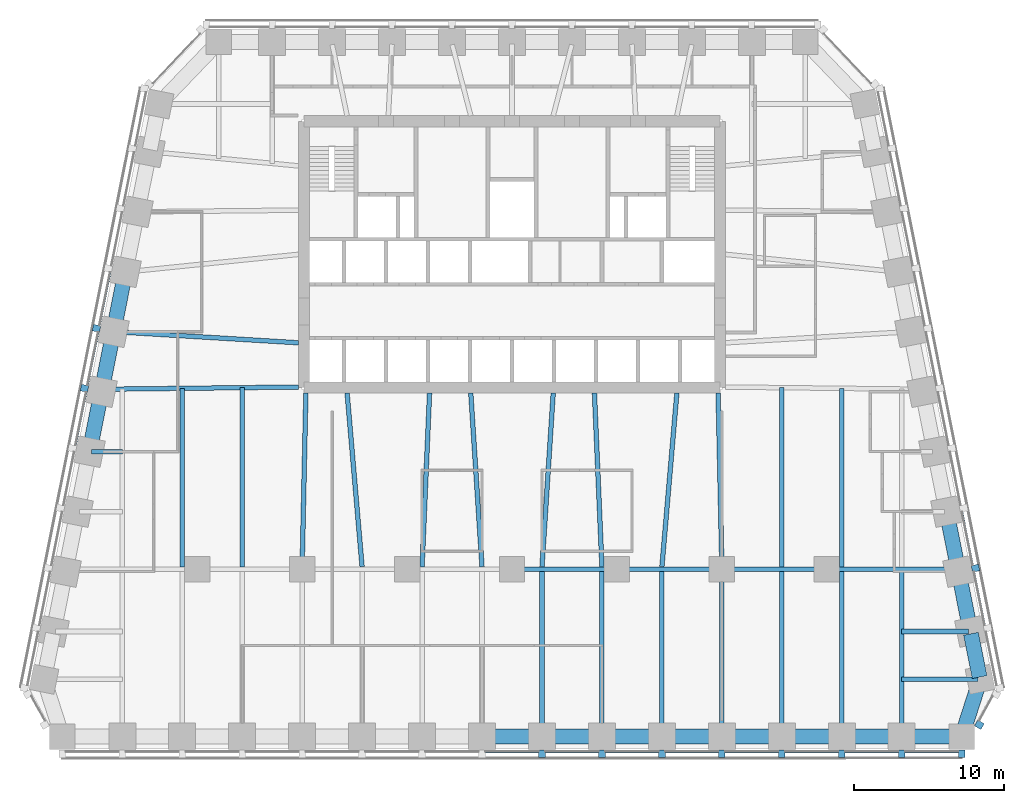
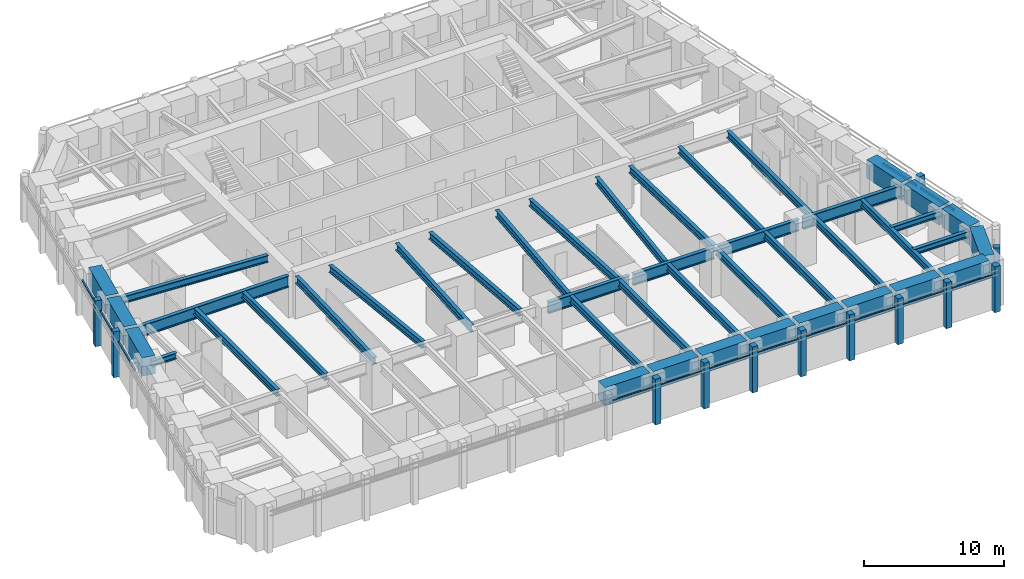
# One storey, part 2 of 10: 43 beams, 25 members, 4 elements without a shape of their own.
"""IFC4 building model written with IfcOpenShell, lengths in metres."""

from ifc_helpers import new_model, si_unit, direction, frame, origin, origin_2d, place, context, subcontext, project, spatial, rectangle, i_section, extrude, material, material_profile, profile_set, type_object, element, aggregate, save


model = new_model("IFC4")

# Units and contexts
model_context = context("Model", 3, precision=1e-05, world=origin(), true_north=direction((0.0, 1.0)))
body_context = subcontext(model_context, "Body", "Model", "MODEL_VIEW")
ifc_project = project(units=[si_unit("LENGTHUNIT", "METRE"), si_unit("AREAUNIT", "SQUARE_METRE"), si_unit("VOLUMEUNIT", "CUBIC_METRE"), si_unit("PLANEANGLEUNIT", "RADIAN"), si_unit("MASSUNIT", "GRAM", prefix="KILO")], contexts=[model_context])

# Site, building, storey
site_placement = place(None, origin())
site = spatial("IfcSite", under=ifc_project, at=site_placement, CompositionType="ELEMENT")
building_placement = place(site_placement, origin())
building = spatial("IfcBuilding", under=site, at=building_placement, Name="Isbrekke Arena Tower", CompositionType="ELEMENT")
storey_placement = place(building_placement, frame((0.0, 0.0, 163.0)))
storey = spatial("IfcBuildingStorey", under=building, at=storey_placement, Name="L37", CompositionType="ELEMENT", Elevation=163.0)

# Beams
ifc_material_1 = material(Name="Steel S355", Category="steel")
ifc_material_profile_1 = material_profile(ifc_material_1, i_section(OverallWidth=0.304931640625, OverallDepth=0.6201171875, WebThickness=0.02099609375, FlangeThickness=0.0400390625, FilletRadius=0.027099609375, at=origin_2d()), Name="HEM 600")
ifc_profile_set_1 = profile_set([ifc_material_profile_1], Name="Steel S355")
beam_type_1 = type_object("IfcBeamType", Name="B4 HEM 600", PredefinedType="BEAM", material=ifc_profile_set_1)
for number, where, z_axis, x_axis, name in (
    (1, (2.0, -17.02490234375, 3.43994140625), (0.0, 1.0, 0.0), (-1.0, 0.0, 0.0), "B4 beam S-S09 L37"),
    (2, (6.0, -17.02490234375, 3.43994140625), (0.0, 1.0, 0.0), (-1.0, 0.0, 0.0), "B4 beam S-S10 L37"),
    (3, (10.0, -17.02490234375, 3.43994140625), (0.0, 1.0, 0.0), (-1.0, 0.0, 0.0), "B4 beam S-S11 L37"),
):
    element("IfcBeam", number, at=place(storey_placement, frame(where, z_axis=z_axis, x_axis=x_axis)), inside=storey, type_object=beam_type_1, Name=name, PredefinedType="BEAM", context=body_context, shape_type="SweptSolid", body=[
        extrude(i_section(OverallWidth=0.304931640625, OverallDepth=0.6201171875, WebThickness=0.02099609375, FlangeThickness=0.0400390625, FilletRadius=0.027099609375, at=origin_2d()), origin(), (0.0, 0.0, 1.0), 10.8740234375),
    ])
beam_1_placement = place(storey_placement, frame((14.0, -17.02490234375, 3.43994140625), z_axis=(0.0, 1.0, 0.0), x_axis=(-1.0, 0.0, 0.0)))
element("IfcBeam", 4, at=beam_1_placement, inside=storey, type_object=beam_type_1, Name="B4 beam S-S12 L37", PredefinedType="BEAM", context=body_context, shape_type="SweptSolid", body=[
    extrude(i_section(OverallWidth=0.304931640625, OverallDepth=0.6201171875, WebThickness=0.02099609375, FlangeThickness=0.0400390625, FilletRadius=0.027099609375, at=origin_2d()), origin(), (0.0, 0.0, 1.0), 10.875),
])
for number, where, z_axis, x_axis, name in (
    (5, (18.0, -17.02490234375, 3.43994140625), (0.0, 1.0, 0.0), (-1.0, 0.0, 0.0), "B4 beam S-S13 L37"),
    (6, (22.0, -17.02490234375, 3.43994140625), (0.0, 1.0, 0.0), (-1.0, 0.0, 0.0), "B4 beam S-S14 L37"),
    (7, (26.0, -17.02490234375, 3.43994140625), (0.0, 1.0, 0.0), (-1.0, 0.0, 0.0), "B4 beam S-S15 L37"),
):
    element("IfcBeam", number, at=place(storey_placement, frame(where, z_axis=z_axis, x_axis=x_axis)), inside=storey, type_object=beam_type_1, Name=name, PredefinedType="BEAM", context=body_context, shape_type="SweptSolid", body=[
        extrude(i_section(OverallWidth=0.304931640625, OverallDepth=0.6201171875, WebThickness=0.02099609375, FlangeThickness=0.0400390625, FilletRadius=0.027099609375, at=origin_2d()), origin(), (0.0, 0.0, 1.0), 10.8740234375),
    ])
beam_2_placement = place(storey_placement, frame((-22.0, -5.84912109375, 3.43994140625), z_axis=(0.0, 1.0, 0.0), x_axis=(-1.0, 0.0, 0.0)))
element("IfcBeam", 8, at=beam_2_placement, inside=storey, type_object=beam_type_1, Name="B4 beam C-M02 L37", PredefinedType="BEAM", context=body_context, shape_type="SweptSolid", body=[
    extrude(i_section(OverallWidth=0.304931640625, OverallDepth=0.6201171875, WebThickness=0.02099609375, FlangeThickness=0.0400390625, FilletRadius=0.027099609375, at=origin_2d()), origin(), (0.0, 0.0, 1.0), 11.91064453125),
])
beam_3_placement = place(storey_placement, frame((-18.0, -5.84912109375, 3.43994140625), z_axis=(0.0, 1.0, 0.0), x_axis=(-1.0, 0.0, 0.0)))
element("IfcBeam", 9, at=beam_3_placement, inside=storey, type_object=beam_type_1, Name="B4 beam C-M03 L37", PredefinedType="BEAM", context=body_context, shape_type="SweptSolid", body=[
    extrude(i_section(OverallWidth=0.304931640625, OverallDepth=0.6201171875, WebThickness=0.02099609375, FlangeThickness=0.0400390625, FilletRadius=0.027099609375, at=origin_2d()), origin(), (0.0, 0.0, 1.0), 11.956298828125),
])
beam_4_placement = place(storey_placement, frame((-14.0, -5.8466796875, 3.43994140625), z_axis=(0.021552887044, 0.999767709551, 0.0), x_axis=(-0.999767709551, 0.021552887044, 0.0)))
element("IfcBeam", 10, at=beam_4_placement, inside=storey, type_object=beam_type_1, Name="B4 beam C-M04 L37", PredefinedType="BEAM", context=body_context, shape_type="SweptSolid", body=[
    extrude(i_section(OverallWidth=0.304931640625, OverallDepth=0.6201171875, WebThickness=0.02099609375, FlangeThickness=0.0400390625, FilletRadius=0.027099609375, at=origin_2d()), origin(), (0.0, 0.0, 1.0), 11.599365234375),
])
beam_5_placement = place(storey_placement, frame((-10.001220703125, -5.8359375, 3.43994140625), z_axis=(-0.085887623552, 0.996304830923, 0.0), x_axis=(-0.996304830923, -0.085887623552, 0.0)))
element("IfcBeam", 11, at=beam_5_placement, inside=storey, type_object=beam_type_1, Name="B4 beam C-M05 L37", PredefinedType="BEAM", context=body_context, shape_type="SweptSolid", body=[
    extrude(i_section(OverallWidth=0.304931640625, OverallDepth=0.6201171875, WebThickness=0.02099609375, FlangeThickness=0.0400390625, FilletRadius=0.027099609375, at=origin_2d()), origin(), (0.0, 0.0, 1.0), 11.62890625),
])
beam_6_placement = place(storey_placement, frame((-5.999755859375, -5.842529296875, 3.43994140625), z_axis=(0.043070161667, 0.999072050041, 0.0), x_axis=(-0.999072050041, 0.043070161667, 0.0)))
element("IfcBeam", 12, at=beam_6_placement, inside=storey, type_object=beam_type_1, Name="B4 beam C-M06 L37", PredefinedType="BEAM", context=body_context, shape_type="SweptSolid", body=[
    extrude(i_section(OverallWidth=0.304931640625, OverallDepth=0.6201171875, WebThickness=0.02099609375, FlangeThickness=0.0400390625, FilletRadius=0.027099609375, at=origin_2d()), origin(), (0.0, 0.0, 1.0), 11.603271484375),
])
for number, where, z_axis, x_axis, name in (
    (13, (-2.000732421875, -5.839111328125, 3.43994140625), (-0.064518019507, 0.997916542181, 0.0), (-0.997916542181, -0.064518019507, 0.0), "B4 beam C-M07 L37"),
    (14, (2.000732421875, -5.839111328125, 3.43994140625), (0.064518019507, 0.997916542181, 0.0), (-0.997916542181, 0.064518019507, 0.0), "B4 beam C-M08 L37"),
):
    element("IfcBeam", number, at=place(storey_placement, frame(where, z_axis=z_axis, x_axis=x_axis)), inside=storey, type_object=beam_type_1, Name=name, PredefinedType="BEAM", context=body_context, shape_type="SweptSolid", body=[
        extrude(i_section(OverallWidth=0.304931640625, OverallDepth=0.6201171875, WebThickness=0.02099609375, FlangeThickness=0.0400390625, FilletRadius=0.027099609375, at=origin_2d()), origin(), (0.0, 0.0, 1.0), 11.61328125),
    ])
beam_7_placement = place(storey_placement, frame((5.999755859375, -5.842529296875, 3.43994140625), z_axis=(-0.043070161667, 0.999072050041, 0.0), x_axis=(-0.999072050041, -0.043070161667, 0.0)))
element("IfcBeam", 15, at=beam_7_placement, inside=storey, type_object=beam_type_1, Name="B4 beam C-M09 L37", PredefinedType="BEAM", context=body_context, shape_type="SweptSolid", body=[
    extrude(i_section(OverallWidth=0.304931640625, OverallDepth=0.6201171875, WebThickness=0.02099609375, FlangeThickness=0.0400390625, FilletRadius=0.027099609375, at=origin_2d()), origin(), (0.0, 0.0, 1.0), 11.603271484375),
])
beam_8_placement = place(storey_placement, frame((10.001220703125, -5.8359375, 3.43994140625), z_axis=(0.085887623552, 0.996304830923, 0.0), x_axis=(-0.996304830923, 0.085887623552, 0.0)))
element("IfcBeam", 16, at=beam_8_placement, inside=storey, type_object=beam_type_1, Name="B4 beam C-M10 L37", PredefinedType="BEAM", context=body_context, shape_type="SweptSolid", body=[
    extrude(i_section(OverallWidth=0.304931640625, OverallDepth=0.6201171875, WebThickness=0.02099609375, FlangeThickness=0.0400390625, FilletRadius=0.027099609375, at=origin_2d()), origin(), (0.0, 0.0, 1.0), 11.62890625),
])
beam_9_placement = place(storey_placement, frame((14.0, -5.8466796875, 3.43994140625), z_axis=(-0.021552887044, 0.999767709551, 0.0), x_axis=(-0.999767709551, -0.021552887044, 0.0)))
element("IfcBeam", 17, at=beam_9_placement, inside=storey, type_object=beam_type_1, Name="B4 beam C-M11 L37", PredefinedType="BEAM", context=body_context, shape_type="SweptSolid", body=[
    extrude(i_section(OverallWidth=0.304931640625, OverallDepth=0.6201171875, WebThickness=0.02099609375, FlangeThickness=0.0400390625, FilletRadius=0.027099609375, at=origin_2d()), origin(), (0.0, 0.0, 1.0), 11.599365234375),
])
beam_10_placement = place(storey_placement, frame((18.0, -5.84912109375, 3.43994140625), z_axis=(0.0, 1.0, 0.0), x_axis=(-1.0, 0.0, 0.0)))
element("IfcBeam", 18, at=beam_10_placement, inside=storey, type_object=beam_type_1, Name="B4 beam C-M12 L37", PredefinedType="BEAM", context=body_context, shape_type="SweptSolid", body=[
    extrude(i_section(OverallWidth=0.304931640625, OverallDepth=0.6201171875, WebThickness=0.02099609375, FlangeThickness=0.0400390625, FilletRadius=0.027099609375, at=origin_2d()), origin(), (0.0, 0.0, 1.0), 11.956298828125),
])
beam_11_placement = place(storey_placement, frame((22.0, -5.84912109375, 3.43994140625), z_axis=(0.0, 1.0, 0.0), x_axis=(-1.0, 0.0, 0.0)))
element("IfcBeam", 19, at=beam_11_placement, inside=storey, type_object=beam_type_1, Name="B4 beam C-M13 L37", PredefinedType="BEAM", context=body_context, shape_type="SweptSolid", body=[
    extrude(i_section(OverallWidth=0.304931640625, OverallDepth=0.6201171875, WebThickness=0.02099609375, FlangeThickness=0.0400390625, FilletRadius=0.027099609375, at=origin_2d()), origin(), (0.0, 0.0, 1.0), 11.91064453125),
])
beam_12_placement = place(storey_placement, frame((-26.431884765625, 9.837646484375, 3.43994140625), z_axis=(0.998172191876, -0.060434057993, 0.0), x_axis=(0.060434057993, 0.998172191876, 0.0)))
element("IfcBeam", 20, at=beam_12_placement, inside=storey, type_object=beam_type_1, Name="B4 beam E-W05 L37", PredefinedType="BEAM", context=body_context, shape_type="SweptSolid", body=[
    extrude(i_section(OverallWidth=0.304931640625, OverallDepth=0.6201171875, WebThickness=0.02099609375, FlangeThickness=0.0400390625, FilletRadius=0.027099609375, at=origin_2d()), origin(), (0.0, 0.0, 1.0), 12.2041015625),
])
ifc_material_2 = material(Name="Steel S355", Category="steel")
ifc_material_profile_2 = material_profile(ifc_material_2, i_section(OverallWidth=0.305908203125, OverallDepth=0.52392578125, WebThickness=0.02099609375, FlangeThickness=0.0400390625, FilletRadius=0.027099609375, at=origin_2d()), Name="HEM 500")
ifc_profile_set_2 = profile_set([ifc_material_profile_2], Name="Steel S355")
beam_type_2 = type_object("IfcBeamType", Name="B5 HEM 500", PredefinedType="BEAM", material=ifc_profile_set_2)
beam_13_placement = place(storey_placement, frame((31.079345703125, -13.352783203125, 3.488037109375), z_axis=(-1.0, 0.0, 0.0), x_axis=(0.0, -1.0, 0.0)))
element("IfcBeam", 21, at=beam_13_placement, inside=storey, type_object=beam_type_2, Name="B5 beam E-E01 L37", PredefinedType="BEAM", context=body_context, shape_type="SweptSolid", body=[
    extrude(i_section(OverallWidth=0.305908203125, OverallDepth=0.52392578125, WebThickness=0.02099609375, FlangeThickness=0.0400390625, FilletRadius=0.027099609375, at=origin_2d()), origin(), (0.0, 0.0, 1.0), 5.079345703125),
])
beam_14_placement = place(storey_placement, frame((30.44091796875, -10.161865234375, 3.488037109375), z_axis=(-1.0, 0.0, 0.0), x_axis=(0.0, -1.0, 0.0)))
element("IfcBeam", 22, at=beam_14_placement, inside=storey, type_object=beam_type_2, Name="B5 beam E-E02 L37", PredefinedType="BEAM", context=body_context, shape_type="SweptSolid", body=[
    extrude(i_section(OverallWidth=0.305908203125, OverallDepth=0.52392578125, WebThickness=0.02099609375, FlangeThickness=0.0400390625, FilletRadius=0.027099609375, at=origin_2d()), origin(), (0.0, 0.0, 1.0), 4.44091796875),
])
beam_15_placement = place(storey_placement, frame((-28.041015625, 1.838134765625, 3.488037109375), z_axis=(1.0, 0.0, 0.0), x_axis=(0.0, 1.0, 0.0)))
element("IfcBeam", 23, at=beam_15_placement, inside=storey, type_object=beam_type_2, Name="B5 beam E-W07 L37", PredefinedType="BEAM", context=body_context, shape_type="SweptSolid", body=[
    extrude(i_section(OverallWidth=0.305908203125, OverallDepth=0.52392578125, WebThickness=0.02099609375, FlangeThickness=0.0400390625, FilletRadius=0.027099609375, at=origin_2d()), origin(), (0.0, 0.0, 1.0), 2.041015625),
])

# Curtain wall, members
ifc_material_3 = material(Name="Glazed aluminium curtain wall", Category="aluminium")
curtain_wall_type = type_object("IfcCurtainWallType", Name="CWM TOWER CURTAIN WALL MID ZONE", PredefinedType="USERDEFINED", material=ifc_material_3)
curtain_wall_1_placement = place(storey_placement, origin())
curtain_wall_1 = element("IfcCurtainWall", 24, at=curtain_wall_1_placement, inside=storey, type_object=curtain_wall_type, Name="CWM curtain wall L37-S", ObjectType="TOWER CURTAIN WALL MID ZONE", PredefinedType="USERDEFINED")
ifc_material_4 = material(Name="Aluminium mullion, pale brick slip cladding", Category="masonry")
ifc_material_profile_3 = material_profile(ifc_material_4, rectangle(XDim=0.449951171875, YDim=0.5, at=origin_2d()), Name="PIER 450X500")
ifc_profile_set_3 = profile_set([ifc_material_profile_3], Name="Aluminium mullion, pale brick slip cladding")
member_type_1 = type_object("IfcMemberType", Name="CWM-M PIER MULLION 450 x 500", PredefinedType="MULLION", material=ifc_profile_set_3)
member_1_placement = place(storey_placement, frame((2.0, -18.324951171875, 0.0), z_axis=(0.0, 0.0, 1.0), x_axis=(1.0, 0.0, 0.0)))
member_1 = element("IfcMember", 25, at=member_1_placement, type_object=member_type_1, Name="CWM-M mullion 9", PredefinedType="MULLION", context=body_context, shape_type="SweptSolid", body=[
    extrude(rectangle(XDim=0.449951171875, YDim=0.5, at=origin_2d()), origin(), (0.0, 0.0, 1.0), 4.0),
])
member_2_placement = place(storey_placement, frame((6.0, -18.324951171875, 0.0), z_axis=(0.0, 0.0, 1.0), x_axis=(1.0, 0.0, 0.0)))
member_2 = element("IfcMember", 26, at=member_2_placement, type_object=member_type_1, Name="CWM-M mullion 10", PredefinedType="MULLION", context=body_context, shape_type="SweptSolid", body=[
    extrude(rectangle(XDim=0.449951171875, YDim=0.5, at=origin_2d()), origin(), (0.0, 0.0, 1.0), 4.0),
])
member_3_placement = place(storey_placement, frame((10.0, -18.324951171875, 0.0), z_axis=(0.0, 0.0, 1.0), x_axis=(1.0, 0.0, 0.0)))
member_3 = element("IfcMember", 27, at=member_3_placement, type_object=member_type_1, Name="CWM-M mullion 11", PredefinedType="MULLION", context=body_context, shape_type="SweptSolid", body=[
    extrude(rectangle(XDim=0.449951171875, YDim=0.5, at=origin_2d()), origin(), (0.0, 0.0, 1.0), 4.0),
])
member_4_placement = place(storey_placement, frame((14.0, -18.324951171875, 0.0), z_axis=(0.0, 0.0, 1.0), x_axis=(1.0, 0.0, 0.0)))
member_4 = element("IfcMember", 28, at=member_4_placement, type_object=member_type_1, Name="CWM-M mullion 12", PredefinedType="MULLION", context=body_context, shape_type="SweptSolid", body=[
    extrude(rectangle(XDim=0.449951171875, YDim=0.5, at=origin_2d()), origin(), (0.0, 0.0, 1.0), 4.0),
])
member_5_placement = place(storey_placement, frame((18.0, -18.324951171875, 0.0), z_axis=(0.0, 0.0, 1.0), x_axis=(1.0, 0.0, 0.0)))
member_5 = element("IfcMember", 29, at=member_5_placement, type_object=member_type_1, Name="CWM-M mullion 13", PredefinedType="MULLION", context=body_context, shape_type="SweptSolid", body=[
    extrude(rectangle(XDim=0.449951171875, YDim=0.5, at=origin_2d()), origin(), (0.0, 0.0, 1.0), 4.0),
])
member_6_placement = place(storey_placement, frame((22.0, -18.324951171875, 0.0), z_axis=(0.0, 0.0, 1.0), x_axis=(1.0, 0.0, 0.0)))
member_6 = element("IfcMember", 30, at=member_6_placement, type_object=member_type_1, Name="CWM-M mullion 14", PredefinedType="MULLION", context=body_context, shape_type="SweptSolid", body=[
    extrude(rectangle(XDim=0.449951171875, YDim=0.5, at=origin_2d()), origin(), (0.0, 0.0, 1.0), 4.0),
])
member_7_placement = place(storey_placement, frame((26.0, -18.324951171875, 0.0), z_axis=(0.0, 0.0, 1.0), x_axis=(1.0, 0.0, 0.0)))
member_7 = element("IfcMember", 31, at=member_7_placement, type_object=member_type_1, Name="CWM-M mullion 15", PredefinedType="MULLION", context=body_context, shape_type="SweptSolid", body=[
    extrude(rectangle(XDim=0.449951171875, YDim=0.5, at=origin_2d()), origin(), (0.0, 0.0, 1.0), 4.0),
])
member_8_placement = place(storey_placement, frame((30.0, -18.324951171875, 0.0), z_axis=(0.0, 0.0, 1.0), x_axis=(1.0, 0.0, 0.0)))
member_8 = element("IfcMember", 32, at=member_8_placement, type_object=member_type_1, Name="CWM-M mullion 16", PredefinedType="MULLION", context=body_context, shape_type="SweptSolid", body=[
    extrude(rectangle(XDim=0.449951171875, YDim=0.5, at=origin_2d()), origin(), (0.0, 0.0, 1.0), 4.0),
])

# Curtain wall, member
curtain_wall_2_placement = place(storey_placement, origin())
curtain_wall_2 = element("IfcCurtainWall", 33, at=curtain_wall_2_placement, inside=storey, type_object=curtain_wall_type, Name="CWM curtain wall L37-SE", ObjectType="TOWER CURTAIN WALL MID ZONE", PredefinedType="USERDEFINED")
member_9_placement = place(storey_placement, frame((31.17529296875, -16.382080078125, 0.0), z_axis=(0.0, 0.0, 1.0), x_axis=(0.481918749773, 0.876215908676, 0.0)))
member_9 = element("IfcMember", 34, at=member_9_placement, type_object=member_type_1, Name="CWM-M mullion 1", PredefinedType="MULLION", context=body_context, shape_type="SweptSolid", body=[
    extrude(rectangle(XDim=0.449951171875, YDim=0.5, at=origin_2d()), origin(), (0.0, 0.0, 1.0), 4.0),
])
aggregate(curtain_wall_2, [member_9])

curtain_wall_3_placement = place(storey_placement, origin())
curtain_wall_3 = element("IfcCurtainWall", 35, at=curtain_wall_3_placement, inside=storey, type_object=curtain_wall_type, Name="CWM curtain wall L37-E", ObjectType="TOWER CURTAIN WALL MID ZONE", PredefinedType="USERDEFINED")
member_10_placement = place(storey_placement, frame((30.918701171875, -5.936279296875, 0.0), z_axis=(0.0, 0.0, 1.0), x_axis=(-0.196116135138, 0.980580675691, 0.0)))
member_10 = element("IfcMember", 36, at=member_10_placement, type_object=member_type_1, Name="CWM-M mullion 3", PredefinedType="MULLION", context=body_context, shape_type="SweptSolid", body=[
    extrude(rectangle(XDim=0.449951171875, YDim=0.5, at=origin_2d()), origin(), (0.0, 0.0, 1.0), 4.0),
])

# Curtain wall, members
curtain_wall_4_placement = place(storey_placement, origin())
curtain_wall_4 = element("IfcCurtainWall", 37, at=curtain_wall_4_placement, inside=storey, type_object=curtain_wall_type, Name="CWM curtain wall L37-W", ObjectType="TOWER CURTAIN WALL MID ZONE", PredefinedType="USERDEFINED")
member_11_placement = place(storey_placement, frame((-27.71875, 10.063720703125, 0.0), z_axis=(0.0, 0.0, 1.0), x_axis=(-0.196116135138, -0.980580675691, 0.0)))
member_11 = element("IfcMember", 38, at=member_11_placement, type_object=member_type_1, Name="CWM-M mullion 5", PredefinedType="MULLION", context=body_context, shape_type="SweptSolid", body=[
    extrude(rectangle(XDim=0.449951171875, YDim=0.5, at=origin_2d()), origin(), (0.0, 0.0, 1.0), 4.0),
])
member_12_placement = place(storey_placement, frame((-28.518798828125, 6.063720703125, 0.0), z_axis=(0.0, 0.0, 1.0), x_axis=(-0.196116135138, -0.980580675691, 0.0)))
member_12 = element("IfcMember", 39, at=member_12_placement, type_object=member_type_1, Name="CWM-M mullion 6", PredefinedType="MULLION", context=body_context, shape_type="SweptSolid", body=[
    extrude(rectangle(XDim=0.449951171875, YDim=0.5, at=origin_2d()), origin(), (0.0, 0.0, 1.0), 4.0),
])

# Member
ifc_material_5 = material(Name="Aluminium transom", Category="aluminium")
ifc_material_profile_4 = material_profile(ifc_material_5, rectangle(XDim=0.1201171875, YDim=0.199951171875, at=origin_2d()), Name="TRANSOM 120X200")
ifc_profile_set_4 = profile_set([ifc_material_profile_4], Name="Aluminium transom")
member_type_2 = type_object("IfcMemberType", Name="CWM-T TRANSOM 120 x 200", PredefinedType="USERDEFINED", material=ifc_profile_set_4)
member_13_placement = place(storey_placement, frame((-1.77490234375, -18.175048828125, 3.0), z_axis=(1.0, 0.0, 0.0), x_axis=(0.0, 1.0, 0.0)))
member_13 = element("IfcMember", 40, at=member_13_placement, type_object=member_type_2, Name="CWM-T transom 8", ObjectType="TRANSOM", PredefinedType="USERDEFINED", context=body_context, shape_type="SweptSolid", body=[
    extrude(rectangle(XDim=0.1201171875, YDim=0.199951171875, at=origin_2d()), origin(), (0.0, 0.0, 1.0), 3.5498046875),
])

member_14_placement = place(storey_placement, frame((2.22509765625, -18.175048828125, 3.0), z_axis=(1.0, 0.0, 0.0), x_axis=(0.0, 1.0, 0.0)))
member_14 = element("IfcMember", 41, at=member_14_placement, type_object=member_type_2, Name="CWM-T transom 9", ObjectType="TRANSOM", PredefinedType="USERDEFINED", context=body_context, shape_type="SweptSolid", body=[
    extrude(rectangle(XDim=0.1201171875, YDim=0.199951171875, at=origin_2d()), origin(), (0.0, 0.0, 1.0), 3.5498046875),
])

member_15_placement = place(storey_placement, frame((6.22509765625, -18.175048828125, 3.0), z_axis=(1.0, 0.0, 0.0), x_axis=(0.0, 1.0, 0.0)))
member_15 = element("IfcMember", 42, at=member_15_placement, type_object=member_type_2, Name="CWM-T transom 10", ObjectType="TRANSOM", PredefinedType="USERDEFINED", context=body_context, shape_type="SweptSolid", body=[
    extrude(rectangle(XDim=0.1201171875, YDim=0.199951171875, at=origin_2d()), origin(), (0.0, 0.0, 1.0), 3.5498046875),
])

member_16_placement = place(storey_placement, frame((10.22509765625, -18.175048828125, 3.0), z_axis=(1.0, 0.0, 0.0), x_axis=(0.0, 1.0, 0.0)))
member_16 = element("IfcMember", 43, at=member_16_placement, type_object=member_type_2, Name="CWM-T transom 11", ObjectType="TRANSOM", PredefinedType="USERDEFINED", context=body_context, shape_type="SweptSolid", body=[
    extrude(rectangle(XDim=0.1201171875, YDim=0.199951171875, at=origin_2d()), origin(), (0.0, 0.0, 1.0), 3.5498046875),
])

member_17_placement = place(storey_placement, frame((14.22509765625, -18.175048828125, 3.0), z_axis=(1.0, 0.0, 0.0), x_axis=(0.0, 1.0, 0.0)))
member_17 = element("IfcMember", 44, at=member_17_placement, type_object=member_type_2, Name="CWM-T transom 12", ObjectType="TRANSOM", PredefinedType="USERDEFINED", context=body_context, shape_type="SweptSolid", body=[
    extrude(rectangle(XDim=0.1201171875, YDim=0.199951171875, at=origin_2d()), origin(), (0.0, 0.0, 1.0), 3.5498046875),
])

member_18_placement = place(storey_placement, frame((18.22509765625, -18.175048828125, 3.0), z_axis=(1.0, 0.0, 0.0), x_axis=(0.0, 1.0, 0.0)))
member_18 = element("IfcMember", 45, at=member_18_placement, type_object=member_type_2, Name="CWM-T transom 13", ObjectType="TRANSOM", PredefinedType="USERDEFINED", context=body_context, shape_type="SweptSolid", body=[
    extrude(rectangle(XDim=0.1201171875, YDim=0.199951171875, at=origin_2d()), origin(), (0.0, 0.0, 1.0), 3.5498046875),
])

member_19_placement = place(storey_placement, frame((22.22509765625, -18.175048828125, 3.0), z_axis=(1.0, 0.0, 0.0), x_axis=(0.0, 1.0, 0.0)))
member_19 = element("IfcMember", 46, at=member_19_placement, type_object=member_type_2, Name="CWM-T transom 14", ObjectType="TRANSOM", PredefinedType="USERDEFINED", context=body_context, shape_type="SweptSolid", body=[
    extrude(rectangle(XDim=0.1201171875, YDim=0.199951171875, at=origin_2d()), origin(), (0.0, 0.0, 1.0), 3.5498046875),
])

member_20_placement = place(storey_placement, frame((26.22509765625, -18.175048828125, 3.0), z_axis=(1.0, 0.0, 0.0), x_axis=(0.0, 1.0, 0.0)))
member_20 = element("IfcMember", 47, at=member_20_placement, type_object=member_type_2, Name="CWM-T transom 15", ObjectType="TRANSOM", PredefinedType="USERDEFINED", context=body_context, shape_type="SweptSolid", body=[
    extrude(rectangle(XDim=0.1201171875, YDim=0.199951171875, at=origin_2d()), origin(), (0.0, 0.0, 1.0), 3.5498046875),
])

aggregate(curtain_wall_1, [member_1, member_2, member_3, member_4, member_5, member_6, member_7, member_8, member_13, member_14, member_15, member_16, member_17, member_18, member_19, member_20])

member_21_placement = place(storey_placement, frame((31.527587890625, -9.7451171875, 3.0), z_axis=(-0.196154943734, 0.980572913173, 0.0), x_axis=(-0.980572913173, -0.196154943734, 0.0)))
member_21 = element("IfcMember", 48, at=member_21_placement, type_object=member_type_2, Name="CWM-T transom 2", ObjectType="TRANSOM", PredefinedType="USERDEFINED", context=body_context, shape_type="SweptSolid", body=[
    extrude(rectangle(XDim=0.1201171875, YDim=0.199951171875, at=origin_2d()), origin(), (0.0, 0.0, 1.0), 3.62939453125),
])

member_22_placement = place(storey_placement, frame((30.7275390625, -5.7451171875, 3.0), z_axis=(-0.196154943734, 0.980572913173, 0.0), x_axis=(-0.980572913173, -0.196154943734, 0.0)))
member_22 = element("IfcMember", 49, at=member_22_placement, type_object=member_type_2, Name="CWM-T transom 3", ObjectType="TRANSOM", PredefinedType="USERDEFINED", context=body_context, shape_type="SweptSolid", body=[
    extrude(rectangle(XDim=0.1201171875, YDim=0.199951171875, at=origin_2d()), origin(), (0.0, 0.0, 1.0), 3.62939453125),
])

aggregate(curtain_wall_3, [member_10, member_21, member_22])

member_23_placement = place(storey_placement, frame((-26.815673828125, 13.813720703125, 3.0), z_axis=(-0.196154943734, -0.980572913173, 0.0), x_axis=(0.980572913173, -0.196154943734, 0.0)))
member_23 = element("IfcMember", 50, at=member_23_placement, type_object=member_type_2, Name="CWM-T transom 4", ObjectType="TRANSOM", PredefinedType="USERDEFINED", context=body_context, shape_type="SweptSolid", body=[
    extrude(rectangle(XDim=0.1201171875, YDim=0.199951171875, at=origin_2d()), origin(), (0.0, 0.0, 1.0), 3.62939453125),
])

member_24_placement = place(storey_placement, frame((-27.61572265625, 9.813720703125, 3.0), z_axis=(-0.196090262229, -0.980585849918, 0.0), x_axis=(0.980585849918, -0.196090262229, 0.0)))
member_24 = element("IfcMember", 51, at=member_24_placement, type_object=member_type_2, Name="CWM-T transom 5", ObjectType="TRANSOM", PredefinedType="USERDEFINED", context=body_context, shape_type="SweptSolid", body=[
    extrude(rectangle(XDim=0.1201171875, YDim=0.199951171875, at=origin_2d()), origin(), (0.0, 0.0, 1.0), 3.62939453125),
])

member_25_placement = place(storey_placement, frame((-28.415771484375, 5.813720703125, 3.0), z_axis=(-0.196090262229, -0.980585849918, 0.0), x_axis=(0.980585849918, -0.196090262229, 0.0)))
member_25 = element("IfcMember", 52, at=member_25_placement, type_object=member_type_2, Name="CWM-T transom 6", ObjectType="TRANSOM", PredefinedType="USERDEFINED", context=body_context, shape_type="SweptSolid", body=[
    extrude(rectangle(XDim=0.1201171875, YDim=0.199951171875, at=origin_2d()), origin(), (0.0, 0.0, 1.0), 3.62939453125),
])

aggregate(curtain_wall_4, [member_11, member_12, member_23, member_24, member_25])

# Beams
ifc_material_6 = material(Name="Steel S355", Category="steel")
ifc_material_profile_5 = material_profile(ifc_material_6, i_section(OverallWidth=0.302001953125, OverallDepth=1.008056640625, WebThickness=0.02099609375, FlangeThickness=0.0400390625, FilletRadius=0.030029296875, at=origin_2d()), Name="HEM 1000")
ifc_profile_set_5 = profile_set([ifc_material_profile_5], Name="Steel S355")
beam_type_3 = type_object("IfcBeamType", Name="G1 HEM 1000", PredefinedType="BEAM", material=ifc_profile_set_5)
for number, where, z_axis, x_axis, name in (
    (53, (0.14990234375, -6.0, 3.24609375), (1.0, 0.0, 0.0), (0.0, 1.0, 0.0), "G1 beam G1-05 L37"),
    (54, (7.14990234375, -6.0, 3.24609375), (1.0, 0.0, 0.0), (0.0, 1.0, 0.0), "G1 beam G1-06 L37"),
    (55, (14.14990234375, -6.0, 3.24609375), (1.0, 0.0, 0.0), (0.0, 1.0, 0.0), "G1 beam G1-07 L37"),
):
    element("IfcBeam", number, at=place(storey_placement, frame(where, z_axis=z_axis, x_axis=x_axis)), inside=storey, type_object=beam_type_3, Name=name, PredefinedType="BEAM", context=body_context, shape_type="SweptSolid", body=[
        extrude(i_section(OverallWidth=0.302001953125, OverallDepth=1.008056640625, WebThickness=0.02099609375, FlangeThickness=0.0400390625, FilletRadius=0.030029296875, at=origin_2d()), origin(), (0.0, 0.0, 1.0), 6.7001953125),
    ])
beam_16_placement = place(storey_placement, frame((21.14990234375, -6.0, 3.24609375), z_axis=(1.0, 0.0, 0.0), x_axis=(0.0, 1.0, 0.0)))
element("IfcBeam", 56, at=beam_16_placement, inside=storey, type_object=beam_type_3, Name="G1 beam G1-08 L37", PredefinedType="BEAM", context=body_context, shape_type="SweptSolid", body=[
    extrude(i_section(OverallWidth=0.302001953125, OverallDepth=1.008056640625, WebThickness=0.02099609375, FlangeThickness=0.0400390625, FilletRadius=0.030029296875, at=origin_2d()), origin(), (0.0, 0.0, 1.0), 8.64111328125),
])
ifc_material_7 = material(Name="Steel S355", Category="steel")
ifc_material_profile_6 = material_profile(ifc_material_7, i_section(OverallWidth=0.302001953125, OverallDepth=1.008056640625, WebThickness=0.02099609375, FlangeThickness=0.0400390625, FilletRadius=0.030029296875, at=origin_2d()), Name="HEM 1000")
ifc_profile_set_6 = profile_set([ifc_material_profile_6], Name="Steel S355")
beam_type_4 = type_object("IfcBeamType", Name="G2 HEM 1000", PredefinedType="BEAM", material=ifc_profile_set_6)
beam_17_placement = place(storey_placement, frame((-14.25, 6.14990234375, 3.24609375), z_axis=(-0.999934928157, -0.011407867963, 0.0), x_axis=(0.011407867963, -0.999934928157, 0.0)))
element("IfcBeam", 57, at=beam_17_placement, inside=storey, type_object=beam_type_4, Name="G2 beam G2-W L37", PredefinedType="BEAM", context=body_context, shape_type="SweptSolid", body=[
    extrude(i_section(OverallWidth=0.302001953125, OverallDepth=1.008056640625, WebThickness=0.02099609375, FlangeThickness=0.0400390625, FilletRadius=0.030029296875, at=origin_2d()), origin(), (0.0, 0.0, 1.0), 13.140380859375),
])
ifc_material_8 = material(Name="Concrete B80 (C80/95)", Category="concrete")
ifc_material_profile_7 = material_profile(ifc_material_8, rectangle(XDim=1.0, YDim=1.60009765625, at=origin_2d()), Name="RC 1000x1600")
ifc_profile_set_7 = profile_set([ifc_material_profile_7], Name="Concrete B80 (C80/95)")
beam_type_5 = type_object("IfcBeamType", Name="SB2 RC 1000 x 1600", PredefinedType="SPANDREL", material=ifc_profile_set_7)
for number, where, z_axis, x_axis, name in (
    (58, (-1.85009765625, -17.175048828125, 3.199951171875), (1.0, 0.0, 0.0), (0.0, 1.0, 0.0), "SB2 spandrel S08-S09 L37"),
    (59, (2.14990234375, -17.175048828125, 3.199951171875), (1.0, 0.0, 0.0), (0.0, 1.0, 0.0), "SB2 spandrel S09-S10 L37"),
    (60, (6.14990234375, -17.175048828125, 3.199951171875), (1.0, 0.0, 0.0), (0.0, 1.0, 0.0), "SB2 spandrel S10-S11 L37"),
    (61, (10.14990234375, -17.175048828125, 3.199951171875), (1.0, 0.0, 0.0), (0.0, 1.0, 0.0), "SB2 spandrel S11-S12 L37"),
    (62, (14.14990234375, -17.175048828125, 3.199951171875), (1.0, 0.0, 0.0), (0.0, 1.0, 0.0), "SB2 spandrel S12-S13 L37"),
    (63, (18.14990234375, -17.175048828125, 3.199951171875), (1.0, 0.0, 0.0), (0.0, 1.0, 0.0), "SB2 spandrel S13-S14 L37"),
    (64, (22.14990234375, -17.175048828125, 3.199951171875), (1.0, 0.0, 0.0), (0.0, 1.0, 0.0), "SB2 spandrel S14-S15 L37"),
    (65, (26.14990234375, -17.175048828125, 3.199951171875), (1.0, 0.0, 0.0), (0.0, 1.0, 0.0), "SB2 spandrel S15-S16 L37"),
):
    element("IfcBeam", number, at=place(storey_placement, frame(where, z_axis=z_axis, x_axis=x_axis)), inside=storey, type_object=beam_type_5, Name=name, PredefinedType="SPANDREL", context=body_context, shape_type="SweptSolid", body=[
        extrude(rectangle(XDim=1.0, YDim=1.60009765625, at=origin_2d()), origin(), (0.0, 0.0, 1.0), 3.7001953125),
    ])
beam_18_placement = place(storey_placement, frame((30.0458984375, -17.0322265625, 3.199951171875), z_axis=(0.306175101476, 0.951975213562, 0.0), x_axis=(-0.951975213562, 0.306175101476, 0.0)))
element("IfcBeam", 66, at=beam_18_placement, inside=storey, type_object=beam_type_5, Name="SB2 spandrel S16-E01 L37", PredefinedType="SPANDREL", context=body_context, shape_type="SweptSolid", body=[
    extrude(rectangle(XDim=1.0, YDim=1.60009765625, at=origin_2d()), origin(), (0.0, 0.0, 1.0), 3.715087890625),
])
beam_19_placement = place(storey_placement, frame((31.19970703125, -13.205810546875, 3.199951171875), z_axis=(-0.196100243168, 0.980583853951, 0.0), x_axis=(-0.980583853951, -0.196100243168, 0.0)))
element("IfcBeam", 67, at=beam_19_placement, inside=storey, type_object=beam_type_5, Name="SB2 spandrel E01-E02 L37", PredefinedType="SPANDREL", context=body_context, shape_type="SweptSolid", body=[
    extrude(rectangle(XDim=1.0, YDim=1.60009765625, at=origin_2d()), origin(), (0.0, 0.0, 1.0), 2.954345703125),
])
beam_20_placement = place(storey_placement, frame((30.5615234375, -10.0146484375, 3.199951171875), z_axis=(-0.1960664412, 0.980590613169, 0.0), x_axis=(-0.980590613169, -0.1960664412, 0.0)))
element("IfcBeam", 68, at=beam_20_placement, inside=storey, type_object=beam_type_5, Name="SB2 spandrel E02-E03 L37", PredefinedType="SPANDREL", context=body_context, shape_type="SweptSolid", body=[
    extrude(rectangle(XDim=1.0, YDim=1.60009765625, at=origin_2d()), origin(), (0.0, 0.0, 1.0), 3.779052734375),
])
beam_21_placement = place(storey_placement, frame((29.76171875, -6.0146484375, 3.199951171875), z_axis=(-0.196128558387, 0.980578190959, 0.0), x_axis=(-0.980578190959, -0.196128558387, 0.0)))
element("IfcBeam", 69, at=beam_21_placement, inside=storey, type_object=beam_type_5, Name="SB2 spandrel E03-E04 L37", PredefinedType="SPANDREL", context=body_context, shape_type="SweptSolid", body=[
    extrude(rectangle(XDim=1.0, YDim=1.60009765625, at=origin_2d()), origin(), (0.0, 0.0, 1.0), 3.779296875),
])
beam_22_placement = place(storey_placement, frame((-25.820556640625, 13.691162109375, 3.199951171875), z_axis=(-0.1960664412, -0.980590613169, 0.0), x_axis=(0.980590613169, -0.1960664412, 0.0)))
element("IfcBeam", 70, at=beam_22_placement, inside=storey, type_object=beam_type_5, Name="SB2 spandrel W04-W05 L37", PredefinedType="SPANDREL", context=body_context, shape_type="SweptSolid", body=[
    extrude(rectangle(XDim=1.0, YDim=1.60009765625, at=origin_2d()), origin(), (0.0, 0.0, 1.0), 3.779052734375),
])
for number, where, z_axis, x_axis, name in (
    (71, (-26.620361328125, 9.691162109375, 3.199951171875), (-0.196128558387, -0.980578190959, 0.0), (0.980578190959, -0.196128558387, 0.0), "SB2 spandrel W05-W06 L37"),
    (72, (-27.42041015625, 5.691162109375, 3.199951171875), (-0.196128558387, -0.980578190959, 0.0), (0.980578190959, -0.196128558387, 0.0), "SB2 spandrel W06-W07 L37"),
):
    element("IfcBeam", number, at=place(storey_placement, frame(where, z_axis=z_axis, x_axis=x_axis)), inside=storey, type_object=beam_type_5, Name=name, PredefinedType="SPANDREL", context=body_context, shape_type="SweptSolid", body=[
        extrude(rectangle(XDim=1.0, YDim=1.60009765625, at=origin_2d()), origin(), (0.0, 0.0, 1.0), 3.779296875),
    ])

save(model, "model.ifc")
